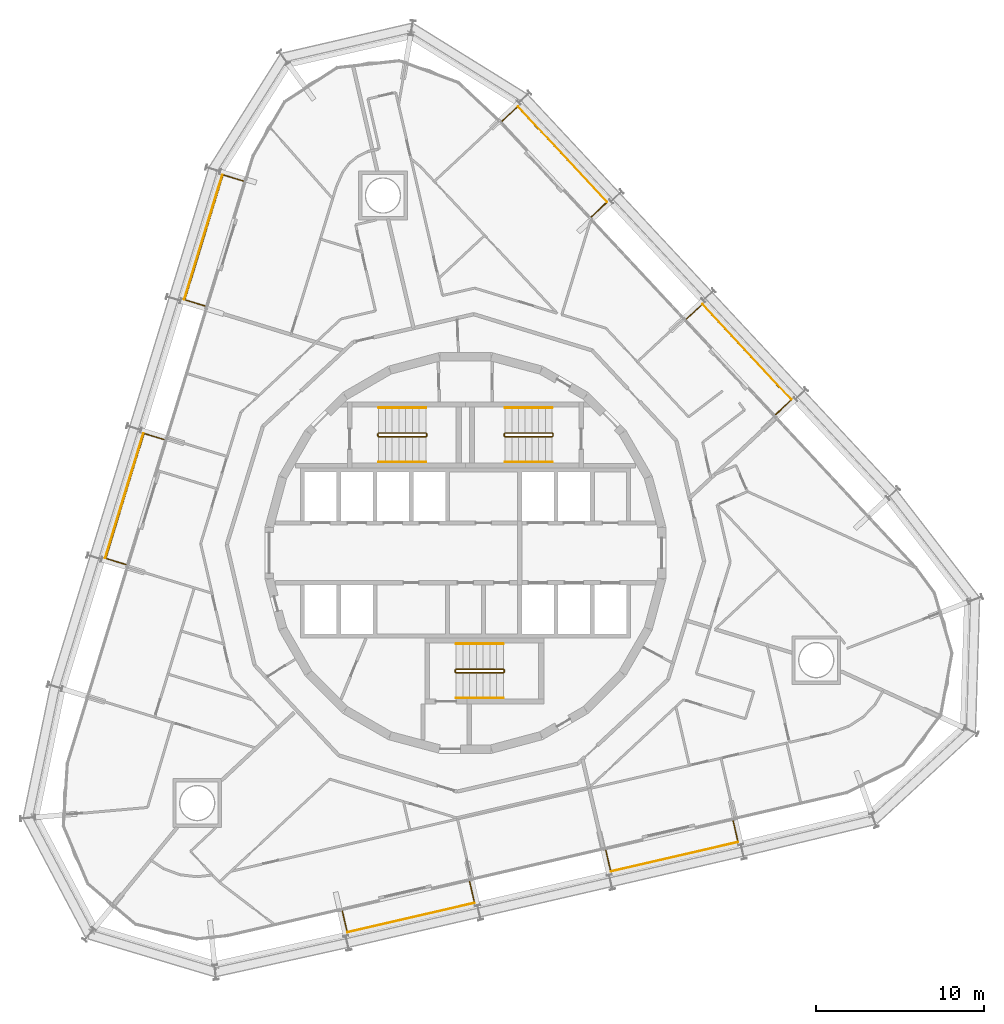
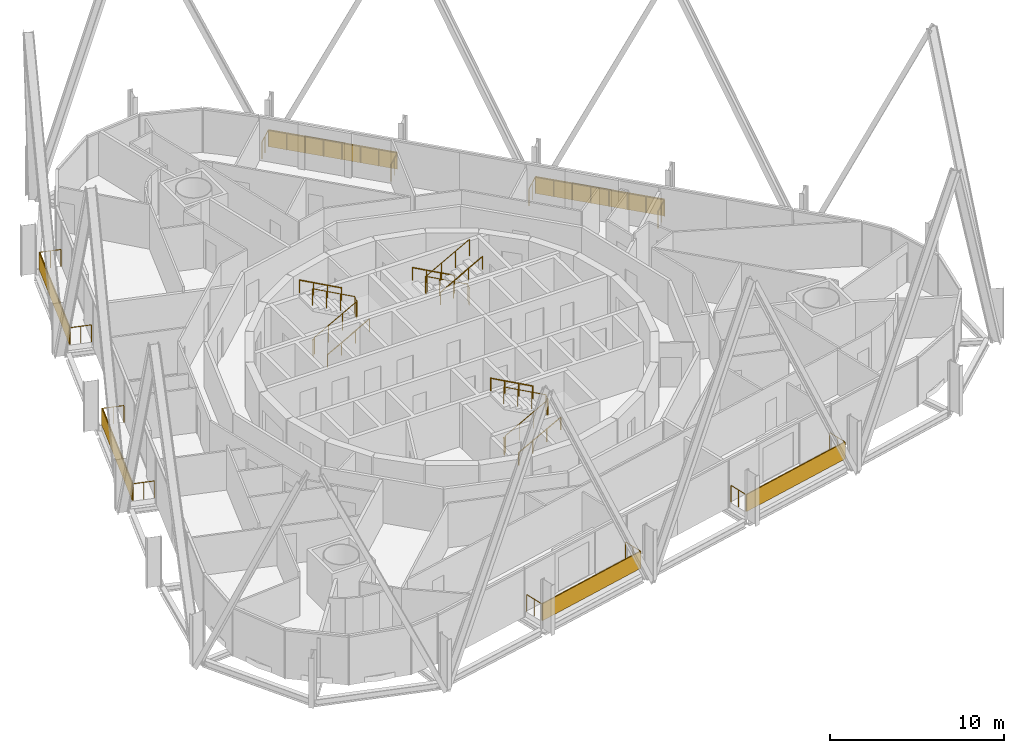
# One storey, part 18 of 18: 15 railings, 6 shading devices.
"""IFC4 building model written with IfcOpenShell, lengths in metres."""

from ifc_helpers import new_model, si_unit, direction, frame, origin, origin_2d, place, context, subcontext, project, spatial, rectangle, circle, extrude, material, layer, layer_set, type_object, element, save


model = new_model("IFC4")

# Units and contexts
model_context = context("Model", 3, precision=1e-05, world=origin(), true_north=direction((0.0, 1.0)))
body_context = subcontext(model_context, "Body", "Model", "MODEL_VIEW")
ifc_project = project(units=[si_unit("LENGTHUNIT", "METRE"), si_unit("AREAUNIT", "SQUARE_METRE"), si_unit("VOLUMEUNIT", "CUBIC_METRE"), si_unit("PLANEANGLEUNIT", "RADIAN"), si_unit("MASSUNIT", "GRAM", prefix="KILO")], contexts=[model_context])

# Site, building, storey
site_placement = place(None, origin())
site = spatial("IfcSite", under=ifc_project, at=site_placement, CompositionType="ELEMENT")
building_placement = place(site_placement, origin())
building = spatial("IfcBuilding", under=site, at=building_placement, Name="Spindle Arch Residences", CompositionType="ELEMENT")
storey_placement = place(building_placement, frame((0.0, 0.0, 127.39990234375)))
storey = spatial("IfcBuildingStorey", under=building, at=storey_placement, Name="L31", CompositionType="ELEMENT", Elevation=127.39990234375)

# Railings
ifc_material_1 = material(Name="Bronze anodised aluminium guard with glass infill", Category="aluminium")
railing_type_1 = type_object("IfcRailingType", Name="Balcony guard 1200", PredefinedType="GUARDRAIL", material=ifc_material_1)
railing_1_placement = place(storey_placement, frame((8.33544921875, -17.658447265625, 0.0)))
element("IfcRailing", 1, at=railing_1_placement, inside=storey, type_object=railing_type_1, Name="Guard L31 bay 1", PredefinedType="GUARDRAIL", context=body_context, shape_type="SweptSolid", body=[
    extrude(circle(Radius=0.02392578125, at=origin_2d()), frame((0.0, 0.0, 1.17578125), z_axis=(0.224987877395, -0.974361562781, 0.0), x_axis=(0.974361562781, 0.224987877395, 0.0)), (0.0, 0.0, 1.0), 1.25),
    extrude(circle(Radius=0.02392578125, at=origin_2d()), frame((0.28125, -1.218017578125, 1.17578125), z_axis=(0.974365204353, 0.224972106149, 0.0), x_axis=(-0.224972106149, 0.974365204353, 0.0)), (0.0, 0.0, 1.0), 7.75927734375),
    extrude(circle(Radius=0.02392578125, at=origin_2d()), frame((7.841552734375, 0.527587890625, 1.17578125), z_axis=(-0.225030699336, 0.974351673861, 0.0), x_axis=(-0.974351673861, -0.225030699336, 0.0)), (0.0, 0.0, 1.0), 1.249755859375),
    extrude(circle(Radius=0.02099609375, at=origin_2d()), origin(), (0.0, 0.0, 1.0), 1.15185546875),
    extrude(circle(Radius=0.02099609375, at=origin_2d()), frame((0.140625, -0.60888671875, 0.0)), (0.0, 0.0, 1.0), 1.15185546875),
    extrude(circle(Radius=0.02099609375, at=origin_2d()), frame((0.28125, -1.218017578125, 0.0)), (0.0, 0.0, 1.0), 1.15185546875),
    extrude(circle(Radius=0.02099609375, at=origin_2d()), frame((1.361328125, -0.96875, 0.0)), (0.0, 0.0, 1.0), 1.15185546875),
    extrude(circle(Radius=0.02099609375, at=origin_2d()), frame((2.44140625, -0.71923828125, 0.0)), (0.0, 0.0, 1.0), 1.15185546875),
    extrude(circle(Radius=0.02099609375, at=origin_2d()), frame((3.521484375, -0.469970703125, 0.0)), (0.0, 0.0, 1.0), 1.15185546875),
    extrude(circle(Radius=0.02099609375, at=origin_2d()), frame((4.601318359375, -0.220458984375, 0.0)), (0.0, 0.0, 1.0), 1.15185546875),
    extrude(circle(Radius=0.02099609375, at=origin_2d()), frame((5.681396484375, 0.02880859375, 0.0)), (0.0, 0.0, 1.0), 1.15185546875),
    extrude(circle(Radius=0.02099609375, at=origin_2d()), frame((6.761474609375, 0.2783203125, 0.0)), (0.0, 0.0, 1.0), 1.15185546875),
    extrude(circle(Radius=0.02099609375, at=origin_2d()), frame((7.841552734375, 0.527587890625, 0.0)), (0.0, 0.0, 1.0), 1.15185546875),
    extrude(circle(Radius=0.02099609375, at=origin_2d()), frame((7.700927734375, 1.136474609375, 0.0)), (0.0, 0.0, 1.0), 1.15185546875),
    extrude(circle(Radius=0.02099609375, at=origin_2d()), frame((7.560302734375, 1.745361328125, 0.0)), (0.0, 0.0, 1.0), 1.15185546875),
])
railing_2_placement = place(storey_placement, frame((18.426025390625, 8.218505859375, 0.0)))
element("IfcRailing", 2, at=railing_2_placement, inside=storey, type_object=railing_type_1, Name="Guard L31 bay 7", PredefinedType="GUARDRAIL", context=body_context, shape_type="SweptSolid", body=[
    extrude(circle(Radius=0.02392578125, at=origin_2d()), frame((0.0, 0.0, 1.17578125), z_axis=(0.731477318681, 0.681865772902, 0.0), x_axis=(-0.681865772902, 0.731477318681, 0.0)), (0.0, 0.0, 1.0), 1.25),
    extrude(circle(Radius=0.02392578125, at=origin_2d()), frame((0.914306640625, 0.852294921875, 1.17578125), z_axis=(-0.681991953625, 0.731359675666, 0.0), x_axis=(-0.731359675666, -0.681991953625, 0.0)), (0.0, 0.0, 1.0), 7.75927734375),
    extrude(circle(Radius=0.02392578125, at=origin_2d()), frame((-4.37744140625, 6.527099609375, 1.17578125), z_axis=(-0.731379904041, -0.681970260323, 0.0), x_axis=(0.681970260323, -0.731379904041, 0.0)), (0.0, 0.0, 1.0), 1.25),
    extrude(circle(Radius=0.02099609375, at=origin_2d()), origin(), (0.0, 0.0, 1.0), 1.15185546875),
    extrude(circle(Radius=0.02099609375, at=origin_2d()), frame((0.45703125, 0.42626953125, 0.0)), (0.0, 0.0, 1.0), 1.15185546875),
    extrude(circle(Radius=0.02099609375, at=origin_2d()), frame((0.914306640625, 0.852294921875, 0.0)), (0.0, 0.0, 1.0), 1.15185546875),
    extrude(circle(Radius=0.02099609375, at=origin_2d()), frame((0.158447265625, 1.6630859375, 0.0)), (0.0, 0.0, 1.0), 1.15185546875),
    extrude(circle(Radius=0.02099609375, at=origin_2d()), frame((-0.59765625, 2.4736328125, 0.0)), (0.0, 0.0, 1.0), 1.15185546875),
    extrude(circle(Radius=0.02099609375, at=origin_2d()), frame((-1.353515625, 3.284423828125, 0.0)), (0.0, 0.0, 1.0), 1.15185546875),
    extrude(circle(Radius=0.02099609375, at=origin_2d()), frame((-2.109619140625, 4.094970703125, 0.0)), (0.0, 0.0, 1.0), 1.15185546875),
    extrude(circle(Radius=0.02099609375, at=origin_2d()), frame((-2.865478515625, 4.90576171875, 0.0)), (0.0, 0.0, 1.0), 1.15185546875),
    extrude(circle(Radius=0.02099609375, at=origin_2d()), frame((-3.62158203125, 5.71630859375, 0.0)), (0.0, 0.0, 1.0), 1.15185546875),
    extrude(circle(Radius=0.02099609375, at=origin_2d()), frame((-4.37744140625, 6.527099609375, 0.0)), (0.0, 0.0, 1.0), 1.15185546875),
    extrude(circle(Radius=0.02099609375, at=origin_2d()), frame((-4.83447265625, 6.100830078125, 0.0)), (0.0, 0.0, 1.0), 1.15185546875),
    extrude(circle(Radius=0.02099609375, at=origin_2d()), frame((-5.291748046875, 5.674560546875, 0.0)), (0.0, 0.0, 1.0), 1.15185546875),
])
railing_3_placement = place(storey_placement, frame((7.474365234375, 19.962646484375, 0.0)))
element("IfcRailing", 3, at=railing_3_placement, inside=storey, type_object=railing_type_1, Name="Guard L31 bay 9", PredefinedType="GUARDRAIL", context=body_context, shape_type="SweptSolid", body=[
    extrude(circle(Radius=0.02392578125, at=origin_2d()), frame((0.0, 0.0, 1.17578125), z_axis=(0.731289056092, 0.682067677317, 0.0), x_axis=(-0.682067677317, 0.731289056092, 0.0)), (0.0, 0.0, 1.0), 1.25),
    extrude(circle(Radius=0.02392578125, at=origin_2d()), frame((0.9140625, 0.8525390625, 1.17578125), z_axis=(-0.681991953625, 0.731359675666, 0.0), x_axis=(-0.731359675666, -0.681991953625, 0.0)), (0.0, 0.0, 1.0), 7.75927734375),
    extrude(circle(Radius=0.02392578125, at=origin_2d()), frame((-4.377685546875, 6.52734375, 1.17578125), z_axis=(-0.731289056092, -0.682067677317, 0.0), x_axis=(0.682067677317, -0.731289056092, 0.0)), (0.0, 0.0, 1.0), 1.25),
    extrude(circle(Radius=0.02099609375, at=origin_2d()), origin(), (0.0, 0.0, 1.0), 1.15185546875),
    extrude(circle(Radius=0.02099609375, at=origin_2d()), frame((0.45703125, 0.42626953125, 0.0)), (0.0, 0.0, 1.0), 1.15185546875),
    extrude(circle(Radius=0.02099609375, at=origin_2d()), frame((0.9140625, 0.8525390625, 0.0)), (0.0, 0.0, 1.0), 1.15185546875),
    extrude(circle(Radius=0.02099609375, at=origin_2d()), frame((0.158203125, 1.663330078125, 0.0)), (0.0, 0.0, 1.0), 1.15185546875),
    extrude(circle(Radius=0.02099609375, at=origin_2d()), frame((-0.597900390625, 2.473876953125, 0.0)), (0.0, 0.0, 1.0), 1.15185546875),
    extrude(circle(Radius=0.02099609375, at=origin_2d()), frame((-1.353759765625, 3.28466796875, 0.0)), (0.0, 0.0, 1.0), 1.15185546875),
    extrude(circle(Radius=0.02099609375, at=origin_2d()), frame((-2.10986328125, 4.09521484375, 0.0)), (0.0, 0.0, 1.0), 1.15185546875),
    extrude(circle(Radius=0.02099609375, at=origin_2d()), frame((-2.86572265625, 4.906005859375, 0.0)), (0.0, 0.0, 1.0), 1.15185546875),
    extrude(circle(Radius=0.02099609375, at=origin_2d()), frame((-3.621826171875, 5.716552734375, 0.0)), (0.0, 0.0, 1.0), 1.15185546875),
    extrude(circle(Radius=0.02099609375, at=origin_2d()), frame((-4.377685546875, 6.52734375, 0.0)), (0.0, 0.0, 1.0), 1.15185546875),
    extrude(circle(Radius=0.02099609375, at=origin_2d()), frame((-4.834716796875, 6.10107421875, 0.0)), (0.0, 0.0, 1.0), 1.15185546875),
    extrude(circle(Radius=0.02099609375, at=origin_2d()), frame((-5.291748046875, 5.6748046875, 0.0)), (0.0, 0.0, 1.0), 1.15185546875),
])
railing_4_placement = place(storey_placement, frame((-13.200439453125, 22.0859375, 0.0)))
element("IfcRailing", 4, at=railing_4_placement, inside=storey, type_object=railing_type_1, Name="Guard L31 bay 13", PredefinedType="GUARDRAIL", context=body_context, shape_type="SweptSolid", body=[
    extrude(circle(Radius=0.02392578125, at=origin_2d()), frame((0.0, 0.0, 1.17578125), z_axis=(-0.95629696894, 0.292397173714, 0.0), x_axis=(-0.292397173714, -0.95629696894, 0.0)), (0.0, 0.0, 1.0), 1.25),
    extrude(circle(Radius=0.02392578125, at=origin_2d()), frame((-1.1953125, 0.365478515625, 1.17578125), z_axis=(-0.29236961561, -0.956305394666, 0.0), x_axis=(0.956305394666, -0.29236961561, 0.0)), (0.0, 0.0, 1.0), 7.75927734375),
    extrude(circle(Radius=0.02392578125, at=origin_2d()), frame((-3.4638671875, -7.0546875, 1.17578125), z_axis=(0.95629696894, -0.292397173714, 0.0), x_axis=(0.292397173714, 0.95629696894, 0.0)), (0.0, 0.0, 1.0), 1.25),
    extrude(circle(Radius=0.02099609375, at=origin_2d()), origin(), (0.0, 0.0, 1.0), 1.15185546875),
    extrude(circle(Radius=0.02099609375, at=origin_2d()), frame((-0.59765625, 0.1826171875, 0.0)), (0.0, 0.0, 1.0), 1.15185546875),
    extrude(circle(Radius=0.02099609375, at=origin_2d()), frame((-1.1953125, 0.365478515625, 0.0)), (0.0, 0.0, 1.0), 1.15185546875),
    extrude(circle(Radius=0.02099609375, at=origin_2d()), frame((-1.519287109375, -0.694580078125, 0.0)), (0.0, 0.0, 1.0), 1.15185546875),
    extrude(circle(Radius=0.02099609375, at=origin_2d()), frame((-1.843505859375, -1.754638671875, 0.0)), (0.0, 0.0, 1.0), 1.15185546875),
    extrude(circle(Radius=0.02099609375, at=origin_2d()), frame((-2.16748046875, -2.814697265625, 0.0)), (0.0, 0.0, 1.0), 1.15185546875),
    extrude(circle(Radius=0.02099609375, at=origin_2d()), frame((-2.49169921875, -3.87451171875, 0.0)), (0.0, 0.0, 1.0), 1.15185546875),
    extrude(circle(Radius=0.02099609375, at=origin_2d()), frame((-2.815673828125, -4.9345703125, 0.0)), (0.0, 0.0, 1.0), 1.15185546875),
    extrude(circle(Radius=0.02099609375, at=origin_2d()), frame((-3.139892578125, -5.99462890625, 0.0)), (0.0, 0.0, 1.0), 1.15185546875),
    extrude(circle(Radius=0.02099609375, at=origin_2d()), frame((-3.4638671875, -7.0546875, 0.0)), (0.0, 0.0, 1.0), 1.15185546875),
    extrude(circle(Radius=0.02099609375, at=origin_2d()), frame((-2.8662109375, -7.2373046875, 0.0)), (0.0, 0.0, 1.0), 1.15185546875),
    extrude(circle(Radius=0.02099609375, at=origin_2d()), frame((-2.2685546875, -7.420166015625, 0.0)), (0.0, 0.0, 1.0), 1.15185546875),
])
railing_5_placement = place(storey_placement, frame((-17.895263671875, 6.729248046875, 0.0)))
element("IfcRailing", 5, at=railing_5_placement, inside=storey, type_object=railing_type_1, Name="Guard L31 bay 15", PredefinedType="GUARDRAIL", context=body_context, shape_type="SweptSolid", body=[
    extrude(circle(Radius=0.02392578125, at=origin_2d()), frame((0.0, 0.0, 1.17578125), z_axis=(-0.956313663541, 0.29234256776, 0.0), x_axis=(-0.29234256776, -0.956313663541, 0.0)), (0.0, 0.0, 1.0), 1.250244140625),
    extrude(circle(Radius=0.02392578125, at=origin_2d()), frame((-1.195556640625, 0.365478515625, 1.17578125), z_axis=(-0.29236961561, -0.956305394666, 0.0), x_axis=(0.956305394666, -0.29236961561, 0.0)), (0.0, 0.0, 1.0), 7.75927734375),
    extrude(circle(Radius=0.02392578125, at=origin_2d()), frame((-3.464111328125, -7.0546875, 1.17578125), z_axis=(0.956368246211, -0.292163956776, 0.0), x_axis=(0.292163956776, 0.956368246211, 0.0)), (0.0, 0.0, 1.0), 1.25),
    extrude(circle(Radius=0.02099609375, at=origin_2d()), origin(), (0.0, 0.0, 1.0), 1.15185546875),
    extrude(circle(Radius=0.02099609375, at=origin_2d()), frame((-0.59765625, 0.1826171875, 0.0)), (0.0, 0.0, 1.0), 1.15185546875),
    extrude(circle(Radius=0.02099609375, at=origin_2d()), frame((-1.195556640625, 0.365478515625, 0.0)), (0.0, 0.0, 1.0), 1.15185546875),
    extrude(circle(Radius=0.02099609375, at=origin_2d()), frame((-1.51953125, -0.694580078125, 0.0)), (0.0, 0.0, 1.0), 1.15185546875),
    extrude(circle(Radius=0.02099609375, at=origin_2d()), frame((-1.84375, -1.754638671875, 0.0)), (0.0, 0.0, 1.0), 1.15185546875),
    extrude(circle(Radius=0.02099609375, at=origin_2d()), frame((-2.167724609375, -2.814697265625, 0.0)), (0.0, 0.0, 1.0), 1.15185546875),
    extrude(circle(Radius=0.02099609375, at=origin_2d()), frame((-2.491943359375, -3.87451171875, 0.0)), (0.0, 0.0, 1.0), 1.15185546875),
    extrude(circle(Radius=0.02099609375, at=origin_2d()), frame((-2.81591796875, -4.9345703125, 0.0)), (0.0, 0.0, 1.0), 1.15185546875),
    extrude(circle(Radius=0.02099609375, at=origin_2d()), frame((-3.14013671875, -5.99462890625, 0.0)), (0.0, 0.0, 1.0), 1.15185546875),
    extrude(circle(Radius=0.02099609375, at=origin_2d()), frame((-3.464111328125, -7.0546875, 0.0)), (0.0, 0.0, 1.0), 1.15185546875),
    extrude(circle(Radius=0.02099609375, at=origin_2d()), frame((-2.8662109375, -7.2373046875, 0.0)), (0.0, 0.0, 1.0), 1.15185546875),
    extrude(circle(Radius=0.02099609375, at=origin_2d()), frame((-2.2685546875, -7.419921875, 0.0)), (0.0, 0.0, 1.0), 1.15185546875),
])
railing_6_placement = place(storey_placement, frame((-7.311279296875, -21.270751953125, 0.0)))
element("IfcRailing", 6, at=railing_6_placement, inside=storey, type_object=railing_type_1, Name="Guard L31 bay 21", PredefinedType="GUARDRAIL", context=body_context, shape_type="SweptSolid", body=[
    extrude(circle(Radius=0.02392578125, at=origin_2d()), frame((0.0, 0.0, 1.17578125), z_axis=(0.224987877395, -0.974361562781, 0.0), x_axis=(0.974361562781, 0.224987877395, 0.0)), (0.0, 0.0, 1.0), 1.25),
    extrude(circle(Radius=0.02392578125, at=origin_2d()), frame((0.28125, -1.218017578125, 1.17578125), z_axis=(0.974365204353, 0.224972106149, 0.0), x_axis=(-0.224972106149, 0.974365204353, 0.0)), (0.0, 0.0, 1.0), 7.75927734375),
    extrude(circle(Radius=0.02392578125, at=origin_2d()), frame((7.841552734375, 0.527587890625, 1.17578125), z_axis=(-0.225030699336, 0.974351673861, 0.0), x_axis=(-0.974351673861, -0.225030699336, 0.0)), (0.0, 0.0, 1.0), 1.249755859375),
    extrude(circle(Radius=0.02099609375, at=origin_2d()), origin(), (0.0, 0.0, 1.0), 1.15185546875),
    extrude(circle(Radius=0.02099609375, at=origin_2d()), frame((0.140625, -0.60888671875, 0.0)), (0.0, 0.0, 1.0), 1.15185546875),
    extrude(circle(Radius=0.02099609375, at=origin_2d()), frame((0.28125, -1.218017578125, 0.0)), (0.0, 0.0, 1.0), 1.15185546875),
    extrude(circle(Radius=0.02099609375, at=origin_2d()), frame((1.361328125, -0.96875, 0.0)), (0.0, 0.0, 1.0), 1.15185546875),
    extrude(circle(Radius=0.02099609375, at=origin_2d()), frame((2.44140625, -0.71923828125, 0.0)), (0.0, 0.0, 1.0), 1.15185546875),
    extrude(circle(Radius=0.02099609375, at=origin_2d()), frame((3.521484375, -0.469970703125, 0.0)), (0.0, 0.0, 1.0), 1.15185546875),
    extrude(circle(Radius=0.02099609375, at=origin_2d()), frame((4.601318359375, -0.220458984375, 0.0)), (0.0, 0.0, 1.0), 1.15185546875),
    extrude(circle(Radius=0.02099609375, at=origin_2d()), frame((5.681396484375, 0.02880859375, 0.0)), (0.0, 0.0, 1.0), 1.15185546875),
    extrude(circle(Radius=0.02099609375, at=origin_2d()), frame((6.761474609375, 0.2783203125, 0.0)), (0.0, 0.0, 1.0), 1.15185546875),
    extrude(circle(Radius=0.02099609375, at=origin_2d()), frame((7.841552734375, 0.527587890625, 0.0)), (0.0, 0.0, 1.0), 1.15185546875),
    extrude(circle(Radius=0.02099609375, at=origin_2d()), frame((7.700927734375, 1.136474609375, 0.0)), (0.0, 0.0, 1.0), 1.15185546875),
    extrude(circle(Radius=0.02099609375, at=origin_2d()), frame((7.560302734375, 1.745361328125, 0.0)), (0.0, 0.0, 1.0), 1.15185546875),
])

# Shading devices
ifc_material_2 = material(Name="Bronze perforated cobogo screen")
ifc_layer = layer(ifc_material_2, 0.0390625)
ifc_layer_set = layer_set([ifc_layer], Name="Cobogo screen 1200")
shading_device_type = type_object("IfcShadingDeviceType", Name="Cobogo screen 1200", PredefinedType="USERDEFINED", material=ifc_layer_set)
for number, where, z_axis, x_axis, name in (
    (7, (12.406005859375, -18.043212890625, 0.0), (0.0, 0.0, 1.0), (0.974370064785, 0.224951054344, 0.0), "Cobogo screen L31 bay 1"),
    (8, (16.723876953125, 11.935791015625, 0.0), (0.0, 0.0, 1.0), (-0.681998360062, 0.731353701619, 0.0), "Cobogo screen L31 bay 7"),
    (9, (5.772216796875, 23.68017578125, 0.0), (0.0, 0.0, 1.0), (-0.681998360062, 0.731353701619, 0.0), "Cobogo screen L31 bay 9"),
    (10, (-15.56884765625, 18.753173828125, 0.0), (0.0, 0.0, 1.0), (-0.292371704723, -0.956304755963, 0.0), "Cobogo screen L31 bay 13"),
    (11, (-20.263671875, 3.396484375, 0.0), (0.0, 0.0, 1.0), (-0.292371704723, -0.956304755963, 0.0), "Cobogo screen L31 bay 15"),
    (12, (-3.24072265625, -21.655517578125, 0.0), (0.0, 0.0, 1.0), (0.974370064785, 0.224951054344, 0.0), "Cobogo screen L31 bay 21"),
):
    element("IfcShadingDevice", number, at=place(storey_placement, frame(where, z_axis=z_axis, x_axis=x_axis)), inside=storey, type_object=shading_device_type, Name=name, ObjectType="SCREEN", PredefinedType="USERDEFINED", context=body_context, shape_type="SweptSolid", body=[
        extrude(rectangle(XDim=7.75927734375, YDim=0.0390625, at=origin_2d()), origin(), (0.0, 0.0, 1.0), 1.199951171875),
    ])

# Railings
ifc_material_3 = material(Name="Steel, painted", Category="steel")
railing_type_2 = type_object("IfcRailingType", Name="Stair guard 1100", PredefinedType="GUARDRAIL", material=ifc_material_3)
railing_7_placement = place(storey_placement, frame((5.14990234375, 6.89990234375, 3.5)))
element("IfcRailing", 13, at=railing_7_placement, inside=storey, type_object=railing_type_2, Name="L31 ST1 stair guard 1", PredefinedType="GUARDRAIL", context=body_context, shape_type="SweptSolid", body=[
    extrude(circle(Radius=0.02392578125, at=origin_2d()), frame((0.0, 0.0, 1.17578125), z_axis=(-0.877357048833, 0.0, -0.479838106931), x_axis=(0.0, -1.0, 0.0)), (0.0, 0.0, 1.0), 3.191162109375),
    extrude(circle(Radius=0.02392578125, at=origin_2d()), frame((-2.7998046875, 0.0, -0.35546875), z_axis=(-0.217683172539, 0.217683172539, -0.951434744366), x_axis=(-0.707106781187, -0.707106781187, 0.0)), (0.0, 0.0, 1.0), 0.22998046875),
    extrude(circle(Radius=0.02392578125, at=origin_2d()), frame((-2.849853515625, 0.050048828125, -0.57421875), z_axis=(0.0, 1.0, 0.0), x_axis=(-1.0, 0.0, 0.0)), (0.0, 0.0, 1.0), 0.1201171875),
    extrude(circle(Radius=0.02392578125, at=origin_2d()), frame((-2.849853515625, 0.170166015625, -0.57421875), z_axis=(0.707106781187, 0.707106781187, 0.0), x_axis=(-0.707106781187, 0.707106781187, 0.0)), (0.0, 0.0, 1.0), 0.07080078125),
    extrude(circle(Radius=0.02392578125, at=origin_2d()), frame((-2.7998046875, 0.22021484375, -0.57421875), z_axis=(0.877357048833, 0.0, -0.479838106931), x_axis=(0.0, 1.0, 0.0)), (0.0, 0.0, 1.0), 3.191162109375),
    extrude(circle(Radius=0.02392578125, at=origin_2d()), frame((0.0, 0.22021484375, -2.10546875), z_axis=(0.217683172539, -0.217683172539, -0.951434744366), x_axis=(0.707106781187, 0.707106781187, 0.0)), (0.0, 0.0, 1.0), 0.22998046875),
    extrude(circle(Radius=0.02392578125, at=origin_2d()), frame((0.050048828125, 0.170166015625, -2.32421875), z_axis=(0.0, -1.0, 0.0), x_axis=(1.0, 0.0, 0.0)), (0.0, 0.0, 1.0), 0.1201171875),
    extrude(circle(Radius=0.02099609375, at=origin_2d()), origin(), (0.0, 0.0, 1.0), 1.15185546875),
    extrude(circle(Radius=0.02099609375, at=origin_2d()), frame((-0.933349609375, 0.0, -0.510498046875)), (0.0, 0.0, 1.0), 1.15185546875),
    extrude(circle(Radius=0.02099609375, at=origin_2d()), frame((-1.866455078125, 0.0, -1.020751953125)), (0.0, 0.0, 1.0), 1.15185546875),
    extrude(circle(Radius=0.02099609375, at=origin_2d()), frame((-2.7998046875, 0.0, -1.53125)), (0.0, 0.0, 1.0), 1.15185546875),
    extrude(circle(Radius=0.02099609375, at=origin_2d()), frame((-2.849853515625, 0.050048828125, -1.75)), (0.0, 0.0, 1.0), 1.15185546875),
    extrude(circle(Radius=0.02099609375, at=origin_2d()), frame((-2.849853515625, 0.170166015625, -1.75)), (0.0, 0.0, 1.0), 1.15185546875),
    extrude(circle(Radius=0.02099609375, at=origin_2d()), frame((-2.7998046875, 0.22021484375, -1.75)), (0.0, 0.0, 1.0), 1.15185546875),
    extrude(circle(Radius=0.02099609375, at=origin_2d()), frame((-1.866455078125, 0.22021484375, -2.260498046875)), (0.0, 0.0, 1.0), 1.15185546875),
    extrude(circle(Radius=0.02099609375, at=origin_2d()), frame((-0.933349609375, 0.22021484375, -2.770751953125)), (0.0, 0.0, 1.0), 1.15185546875),
    extrude(circle(Radius=0.02099609375, at=origin_2d()), frame((0.0, 0.22021484375, -3.28125)), (0.0, 0.0, 1.0), 1.15185546875),
    extrude(circle(Radius=0.02099609375, at=origin_2d()), frame((0.050048828125, 0.170166015625, -3.5)), (0.0, 0.0, 1.0), 1.15185546875),
    extrude(circle(Radius=0.02099609375, at=origin_2d()), frame((0.050048828125, 0.050048828125, -3.5)), (0.0, 0.0, 1.0), 1.15185546875),
])
railing_8_placement = place(storey_placement, frame((-5.14990234375, 7.1201171875, 3.5)))
element("IfcRailing", 14, at=railing_8_placement, inside=storey, type_object=railing_type_2, Name="L31 ST2 stair guard 1", PredefinedType="GUARDRAIL", context=body_context, shape_type="SweptSolid", body=[
    extrude(circle(Radius=0.02392578125, at=origin_2d()), frame((0.0, 0.0, 1.17578125), z_axis=(0.877357048833, 0.0, -0.479838106931), x_axis=(0.0, 1.0, 0.0)), (0.0, 0.0, 1.0), 3.191162109375),
    extrude(circle(Radius=0.02392578125, at=origin_2d()), frame((2.7998046875, 0.0, -0.35546875), z_axis=(0.217683172539, -0.217683172539, -0.951434744366), x_axis=(0.707106781187, 0.707106781187, 0.0)), (0.0, 0.0, 1.0), 0.22998046875),
    extrude(circle(Radius=0.02392578125, at=origin_2d()), frame((2.849853515625, -0.050048828125, -0.57421875), z_axis=(0.0, -1.0, 0.0), x_axis=(1.0, 0.0, 0.0)), (0.0, 0.0, 1.0), 0.1201171875),
    extrude(circle(Radius=0.02392578125, at=origin_2d()), frame((2.849853515625, -0.170166015625, -0.57421875), z_axis=(-0.707106781187, -0.707106781187, 0.0), x_axis=(0.707106781187, -0.707106781187, 0.0)), (0.0, 0.0, 1.0), 0.07080078125),
    extrude(circle(Radius=0.02392578125, at=origin_2d()), frame((2.7998046875, -0.22021484375, -0.57421875), z_axis=(-0.877357048833, 0.0, -0.479838106931), x_axis=(0.0, -1.0, 0.0)), (0.0, 0.0, 1.0), 3.191162109375),
    extrude(circle(Radius=0.02392578125, at=origin_2d()), frame((0.0, -0.22021484375, -2.10546875), z_axis=(-0.217683172539, 0.217683172539, -0.951434744366), x_axis=(-0.707106781187, -0.707106781187, 0.0)), (0.0, 0.0, 1.0), 0.22998046875),
    extrude(circle(Radius=0.02392578125, at=origin_2d()), frame((-0.050048828125, -0.170166015625, -2.32421875), z_axis=(0.0, 1.0, 0.0), x_axis=(-1.0, 0.0, 0.0)), (0.0, 0.0, 1.0), 0.1201171875),
    extrude(circle(Radius=0.02099609375, at=origin_2d()), origin(), (0.0, 0.0, 1.0), 1.15185546875),
    extrude(circle(Radius=0.02099609375, at=origin_2d()), frame((0.933349609375, 0.0, -0.510498046875)), (0.0, 0.0, 1.0), 1.15185546875),
    extrude(circle(Radius=0.02099609375, at=origin_2d()), frame((1.866455078125, 0.0, -1.020751953125)), (0.0, 0.0, 1.0), 1.15185546875),
    extrude(circle(Radius=0.02099609375, at=origin_2d()), frame((2.7998046875, 0.0, -1.53125)), (0.0, 0.0, 1.0), 1.15185546875),
    extrude(circle(Radius=0.02099609375, at=origin_2d()), frame((2.849853515625, -0.050048828125, -1.75)), (0.0, 0.0, 1.0), 1.15185546875),
    extrude(circle(Radius=0.02099609375, at=origin_2d()), frame((2.849853515625, -0.170166015625, -1.75)), (0.0, 0.0, 1.0), 1.15185546875),
    extrude(circle(Radius=0.02099609375, at=origin_2d()), frame((2.7998046875, -0.22021484375, -1.75)), (0.0, 0.0, 1.0), 1.15185546875),
    extrude(circle(Radius=0.02099609375, at=origin_2d()), frame((1.866455078125, -0.22021484375, -2.260498046875)), (0.0, 0.0, 1.0), 1.15185546875),
    extrude(circle(Radius=0.02099609375, at=origin_2d()), frame((0.933349609375, -0.22021484375, -2.770751953125)), (0.0, 0.0, 1.0), 1.15185546875),
    extrude(circle(Radius=0.02099609375, at=origin_2d()), frame((0.0, -0.22021484375, -3.28125)), (0.0, 0.0, 1.0), 1.15185546875),
    extrude(circle(Radius=0.02099609375, at=origin_2d()), frame((-0.050048828125, -0.170166015625, -3.5)), (0.0, 0.0, 1.0), 1.15185546875),
    extrude(circle(Radius=0.02099609375, at=origin_2d()), frame((-0.050048828125, -0.050048828125, -3.5)), (0.0, 0.0, 1.0), 1.15185546875),
])
railing_9_placement = place(storey_placement, frame((-0.550048828125, -6.89990234375, 3.5)))
element("IfcRailing", 15, at=railing_9_placement, inside=storey, type_object=railing_type_2, Name="L31 ST3 stair guard 1", PredefinedType="GUARDRAIL", context=body_context, shape_type="SweptSolid", body=[
    extrude(circle(Radius=0.02392578125, at=origin_2d()), frame((0.0, 0.0, 1.17578125), z_axis=(0.877374661878, 0.0, -0.479805901063), x_axis=(0.0, 1.0, 0.0)), (0.0, 0.0, 1.0), 3.19140625),
    extrude(circle(Radius=0.02392578125, at=origin_2d()), frame((2.800048828125, 0.0, -0.35546875), z_axis=(0.217683172539, -0.217683172539, -0.951434744366), x_axis=(0.707106781187, 0.707106781187, 0.0)), (0.0, 0.0, 1.0), 0.22998046875),
    extrude(circle(Radius=0.02392578125, at=origin_2d()), frame((2.85009765625, -0.050048828125, -0.57421875), z_axis=(0.0, -1.0, 0.0), x_axis=(1.0, 0.0, 0.0)), (0.0, 0.0, 1.0), 0.1201171875),
    extrude(circle(Radius=0.02392578125, at=origin_2d()), frame((2.85009765625, -0.170166015625, -0.57421875), z_axis=(-0.707106781187, -0.707106781187, 0.0), x_axis=(0.707106781187, -0.707106781187, 0.0)), (0.0, 0.0, 1.0), 0.07080078125),
    extrude(circle(Radius=0.02392578125, at=origin_2d()), frame((2.800048828125, -0.22021484375, -0.57421875), z_axis=(-0.877374661878, 0.0, -0.479805901063), x_axis=(0.0, -1.0, 0.0)), (0.0, 0.0, 1.0), 3.19140625),
    extrude(circle(Radius=0.02392578125, at=origin_2d()), frame((0.0, -0.22021484375, -2.10546875), z_axis=(-0.217683172539, 0.217683172539, -0.951434744366), x_axis=(-0.707106781187, -0.707106781187, 0.0)), (0.0, 0.0, 1.0), 0.22998046875),
    extrude(circle(Radius=0.02392578125, at=origin_2d()), frame((-0.050048828125, -0.170166015625, -2.32421875), z_axis=(0.0, 1.0, 0.0), x_axis=(-1.0, 0.0, 0.0)), (0.0, 0.0, 1.0), 0.1201171875),
    extrude(circle(Radius=0.02099609375, at=origin_2d()), origin(), (0.0, 0.0, 1.0), 1.15185546875),
    extrude(circle(Radius=0.02099609375, at=origin_2d()), frame((0.933349609375, 0.0, -0.510498046875)), (0.0, 0.0, 1.0), 1.15185546875),
    extrude(circle(Radius=0.02099609375, at=origin_2d()), frame((1.86669921875, 0.0, -1.020751953125)), (0.0, 0.0, 1.0), 1.15185546875),
    extrude(circle(Radius=0.02099609375, at=origin_2d()), frame((2.800048828125, 0.0, -1.53125)), (0.0, 0.0, 1.0), 1.15185546875),
    extrude(circle(Radius=0.02099609375, at=origin_2d()), frame((2.85009765625, -0.050048828125, -1.75)), (0.0, 0.0, 1.0), 1.15185546875),
    extrude(circle(Radius=0.02099609375, at=origin_2d()), frame((2.85009765625, -0.170166015625, -1.75)), (0.0, 0.0, 1.0), 1.15185546875),
    extrude(circle(Radius=0.02099609375, at=origin_2d()), frame((2.800048828125, -0.22021484375, -1.75)), (0.0, 0.0, 1.0), 1.15185546875),
    extrude(circle(Radius=0.02099609375, at=origin_2d()), frame((1.86669921875, -0.22021484375, -2.260498046875)), (0.0, 0.0, 1.0), 1.15185546875),
    extrude(circle(Radius=0.02099609375, at=origin_2d()), frame((0.933349609375, -0.22021484375, -2.770751953125)), (0.0, 0.0, 1.0), 1.15185546875),
    extrude(circle(Radius=0.02099609375, at=origin_2d()), frame((0.0, -0.22021484375, -3.28125)), (0.0, 0.0, 1.0), 1.15185546875),
    extrude(circle(Radius=0.02099609375, at=origin_2d()), frame((-0.050048828125, -0.170166015625, -3.5)), (0.0, 0.0, 1.0), 1.15185546875),
    extrude(circle(Radius=0.02099609375, at=origin_2d()), frame((-0.050048828125, -0.050048828125, -3.5)), (0.0, 0.0, 1.0), 1.15185546875),
])
ifc_material_4 = material(Name="Steel, painted", Category="steel")
railing_type_3 = type_object("IfcRailingType", Name="Stair handrail 900", PredefinedType="HANDRAIL", material=ifc_material_4)
railing_10_placement = place(storey_placement, frame((5.14990234375, 8.6201171875, 0.21875)))
element("IfcRailing", 16, at=railing_10_placement, inside=storey, type_object=railing_type_3, Name="L31 ST1 stair handrail 1", PredefinedType="HANDRAIL", context=body_context, shape_type="SweptSolid", body=[
    extrude(circle(Radius=0.02392578125, at=origin_2d()), frame((0.0, 0.0, 0.8759765625), z_axis=(-0.877357048833, 0.0, 0.479838106931), x_axis=(0.0, -1.0, 0.0)), (0.0, 0.0, 1.0), 3.191162109375),
    extrude(circle(Radius=0.02099609375, at=origin_2d()), origin(), (0.0, 0.0, 1.0), 0.851806640625),
    extrude(circle(Radius=0.02099609375, at=origin_2d()), frame((-0.933349609375, 0.0, 0.510498046875)), (0.0, 0.0, 1.0), 0.851806640625),
    extrude(circle(Radius=0.02099609375, at=origin_2d()), frame((-1.866455078125, 0.0, 1.020751953125)), (0.0, 0.0, 1.0), 0.851806640625),
    extrude(circle(Radius=0.02099609375, at=origin_2d()), frame((-2.7998046875, 0.0, 1.53125)), (0.0, 0.0, 1.0), 0.851806640625),
])
for number, where, name in (
    (17, (2.35009765625, 5.39990234375, 1.96875), "L31 ST1 stair handrail 2"),
    (18, (-5.14990234375, 5.39990234375, 0.21875), "L31 ST2 stair handrail 1"),
):
    element("IfcRailing", number, at=place(storey_placement, frame(where)), inside=storey, type_object=railing_type_3, Name=name, PredefinedType="HANDRAIL", context=body_context, shape_type="SweptSolid", body=[
        extrude(circle(Radius=0.02392578125, at=origin_2d()), frame((0.0, 0.0, 0.8759765625), z_axis=(0.877357048833, 0.0, 0.479838106931), x_axis=(0.0, 1.0, 0.0)), (0.0, 0.0, 1.0), 3.191162109375),
        extrude(circle(Radius=0.02099609375, at=origin_2d()), origin(), (0.0, 0.0, 1.0), 0.851806640625),
        extrude(circle(Radius=0.02099609375, at=origin_2d()), frame((0.933349609375, 0.0, 0.510498046875)), (0.0, 0.0, 1.0), 0.851806640625),
        extrude(circle(Radius=0.02099609375, at=origin_2d()), frame((1.866455078125, 0.0, 1.020751953125)), (0.0, 0.0, 1.0), 0.851806640625),
        extrude(circle(Radius=0.02099609375, at=origin_2d()), frame((2.7998046875, 0.0, 1.53125)), (0.0, 0.0, 1.0), 0.851806640625),
    ])
railing_11_placement = place(storey_placement, frame((-2.35009765625, 8.6201171875, 1.96875)))
element("IfcRailing", 19, at=railing_11_placement, inside=storey, type_object=railing_type_3, Name="L31 ST2 stair handrail 2", PredefinedType="HANDRAIL", context=body_context, shape_type="SweptSolid", body=[
    extrude(circle(Radius=0.02392578125, at=origin_2d()), frame((0.0, 0.0, 0.8759765625), z_axis=(-0.877357048833, 0.0, 0.479838106931), x_axis=(0.0, -1.0, 0.0)), (0.0, 0.0, 1.0), 3.191162109375),
    extrude(circle(Radius=0.02099609375, at=origin_2d()), origin(), (0.0, 0.0, 1.0), 0.851806640625),
    extrude(circle(Radius=0.02099609375, at=origin_2d()), frame((-0.933349609375, 0.0, 0.510498046875)), (0.0, 0.0, 1.0), 0.851806640625),
    extrude(circle(Radius=0.02099609375, at=origin_2d()), frame((-1.866455078125, 0.0, 1.020751953125)), (0.0, 0.0, 1.0), 0.851806640625),
    extrude(circle(Radius=0.02099609375, at=origin_2d()), frame((-2.7998046875, 0.0, 1.53125)), (0.0, 0.0, 1.0), 0.851806640625),
])
railing_12_placement = place(storey_placement, frame((-0.550048828125, -8.6201171875, 0.21875)))
element("IfcRailing", 20, at=railing_12_placement, inside=storey, type_object=railing_type_3, Name="L31 ST3 stair handrail 1", PredefinedType="HANDRAIL", context=body_context, shape_type="SweptSolid", body=[
    extrude(circle(Radius=0.02392578125, at=origin_2d()), frame((0.0, 0.0, 0.8759765625), z_axis=(0.877374661878, 0.0, 0.479805901063), x_axis=(0.0, 1.0, 0.0)), (0.0, 0.0, 1.0), 3.19140625),
    extrude(circle(Radius=0.02099609375, at=origin_2d()), origin(), (0.0, 0.0, 1.0), 0.851806640625),
    extrude(circle(Radius=0.02099609375, at=origin_2d()), frame((0.933349609375, 0.0, 0.510498046875)), (0.0, 0.0, 1.0), 0.851806640625),
    extrude(circle(Radius=0.02099609375, at=origin_2d()), frame((1.86669921875, 0.0, 1.020751953125)), (0.0, 0.0, 1.0), 0.851806640625),
    extrude(circle(Radius=0.02099609375, at=origin_2d()), frame((2.800048828125, 0.0, 1.53125)), (0.0, 0.0, 1.0), 0.851806640625),
])
railing_13_placement = place(storey_placement, frame((2.25, -5.39990234375, 1.96875)))
element("IfcRailing", 21, at=railing_13_placement, inside=storey, type_object=railing_type_3, Name="L31 ST3 stair handrail 2", PredefinedType="HANDRAIL", context=body_context, shape_type="SweptSolid", body=[
    extrude(circle(Radius=0.02392578125, at=origin_2d()), frame((0.0, 0.0, 0.8759765625), z_axis=(-0.877374661878, 0.0, 0.479805901063), x_axis=(0.0, -1.0, 0.0)), (0.0, 0.0, 1.0), 3.19140625),
    extrude(circle(Radius=0.02099609375, at=origin_2d()), origin(), (0.0, 0.0, 1.0), 0.851806640625),
    extrude(circle(Radius=0.02099609375, at=origin_2d()), frame((-0.933349609375, 0.0, 0.510498046875)), (0.0, 0.0, 1.0), 0.851806640625),
    extrude(circle(Radius=0.02099609375, at=origin_2d()), frame((-1.86669921875, 0.0, 1.020751953125)), (0.0, 0.0, 1.0), 0.851806640625),
    extrude(circle(Radius=0.02099609375, at=origin_2d()), frame((-2.800048828125, 0.0, 1.53125)), (0.0, 0.0, 1.0), 0.851806640625),
])

save(model, "model.ifc")
